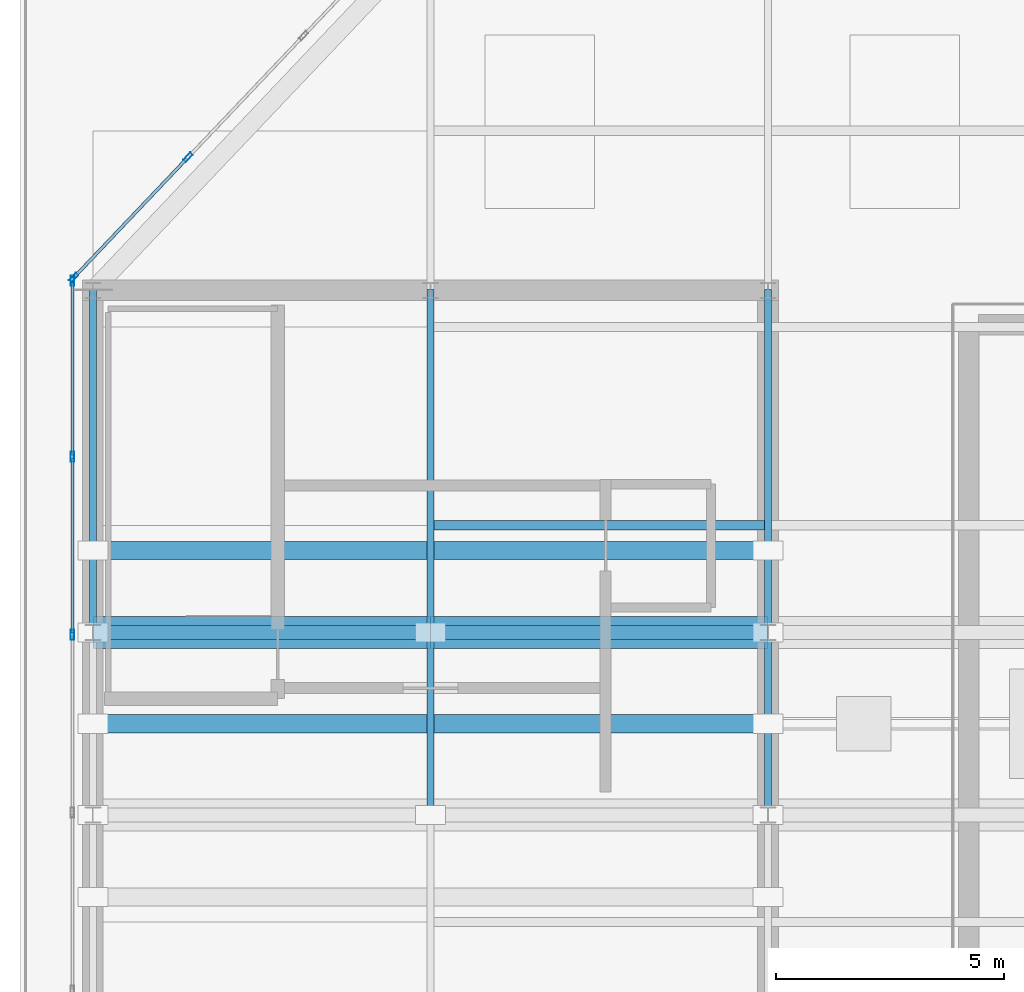
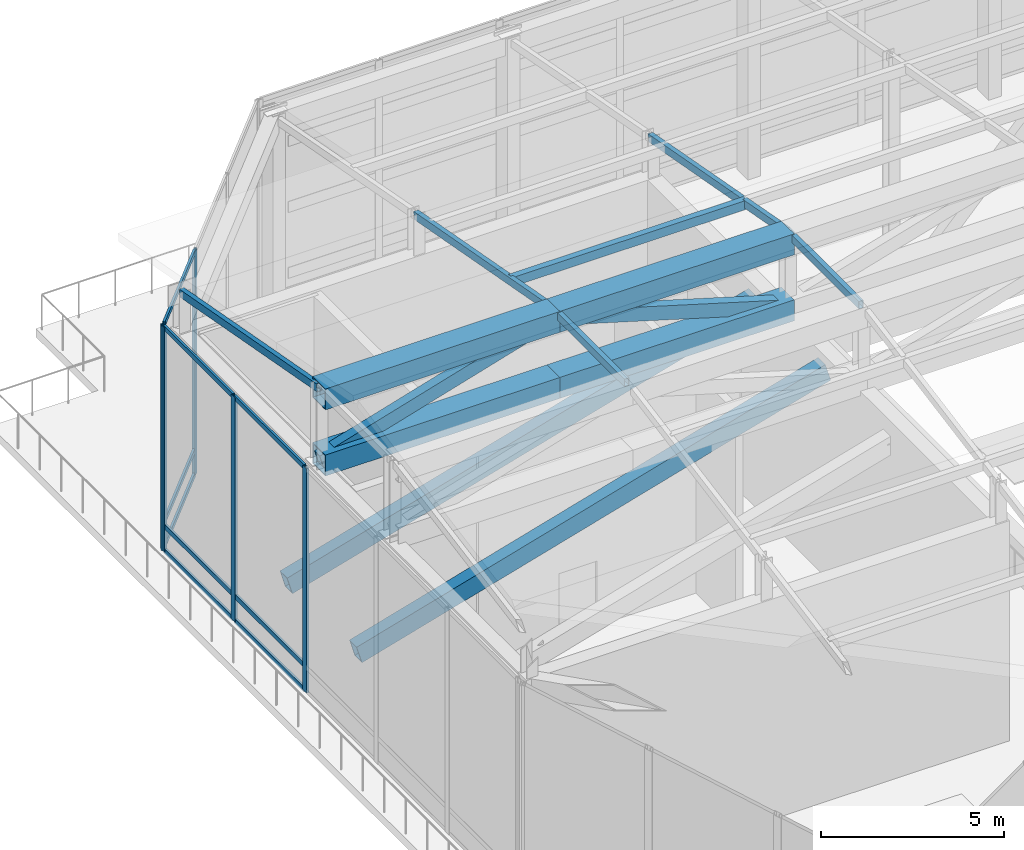
# One storey, part 8 of 25: 28 members, 2 elements without a shape of their own.
"""IFC4 building model written with IfcOpenShell, lengths in metres."""

import ifcopenshell
import ifcopenshell.guid

model = None  # the IFC model being written
_history = None  # IfcOwnerHistory: only IFC2X3 demands one
_inside = {}  # id of a spatial element -> (the spatial element, [elements in it])
_under = {}  # id of a project, library or spatial element -> (it, [spatial elements below it])
_declared = {}  # id of a project -> (the project, [libraries it declares])
_typed = {}  # id of a type object -> (the type object, [elements of that type])
_made_of = {}  # id of a material, layer set ... -> (it, [elements and type objects made of it])


def new_model(schema):
    """Start an empty IFC model of exactly this schema.

    Asked for "IFC4X3", IfcOpenShell would pick the latest addendum, in which some entities
    have other attributes; the version numbers below select the first issue.
    IFC2X3 requires an IfcOwnerHistory on every rooted entity: one is made here for all.
    """
    global model, _history
    if schema == "IFC4X3":
        model = ifcopenshell.file(schema_version=(4, 3, 0, 0))
    else:
        model = ifcopenshell.file(schema=schema)
    _inside.clear()
    _under.clear()
    _declared.clear()
    _typed.clear()
    _made_of.clear()
    _history = None
    if model.schema == "IFC2X3":
        org = make("IfcOrganization", Name="unknown")
        user = make(
            "IfcPersonAndOrganization",
            ThePerson=make("IfcPerson", FamilyName="unknown"),
            TheOrganization=org,
        )
        app = make(
            "IfcApplication",
            ApplicationDeveloper=org,
            Version="unknown",
            ApplicationFullName="unknown",
            ApplicationIdentifier="unknown",
        )
        _history = make(
            "IfcOwnerHistory",
            OwningUser=user,
            OwningApplication=app,
            ChangeAction="ADDED",
            CreationDate=0,
        )
    return model


def make(cls, **values):
    """One entity of the class cls with the attributes given. An attribute that is None is left unset."""
    return model.create_entity(
        cls, **{name: value for name, value in values.items() if value is not None}
    )


def rooted(cls, **values):
    """An entity with a GlobalId (a new one), such as an element, a storey or a relation."""
    return make(cls, GlobalId=ifcopenshell.guid.new(), OwnerHistory=_history, **values)


def si_unit(unit_type, name, prefix=None):
    """IfcSIUnit, for example si_unit("LENGTHUNIT", "METRE", prefix="MILLI")."""
    return make("IfcSIUnit", UnitType=unit_type, Prefix=prefix, Name=name)


def assignment(units):
    """IfcUnitAssignment: the units of a project."""
    return None if units is None else make("IfcUnitAssignment", Units=units)


def point(xyz):
    """IfcCartesianPoint."""
    return None if xyz is None else make("IfcCartesianPoint", Coordinates=xyz)


def direction(xyz):
    """IfcDirection."""
    return None if xyz is None else make("IfcDirection", DirectionRatios=xyz)


def frame(location, z_axis=None, x_axis=None):
    """IfcAxis2Placement3D, a coordinate frame: its origin and axes. An axis left out is left unset."""
    return make(
        "IfcAxis2Placement3D",
        Location=point(location),
        Axis=direction(z_axis),
        RefDirection=direction(x_axis),
    )


def frame_2d(location, x_axis=None):
    """IfcAxis2Placement2D, a coordinate frame in the plane: its origin and x axis."""
    return make(
        "IfcAxis2Placement2D", Location=point(location), RefDirection=direction(x_axis)
    )


def origin():
    """The frame at (0, 0, 0) with its axes left unset."""
    return frame((0.0, 0.0, 0.0))


def origin_2d():
    """The frame at (0, 0) in the plane with its x axis left unset."""
    return frame_2d((0.0, 0.0))


def place(relative_to, where):
    """IfcLocalPlacement: puts the frame where relative to a parent placement (None: the world)."""
    return make(
        "IfcLocalPlacement", PlacementRelTo=relative_to, RelativePlacement=where
    )


def context(
    kind, dimensions, precision=None, world=None, true_north=None, identifier=None
):
    """IfcGeometricRepresentationContext, for example the 3D "Model" context."""
    return make(
        "IfcGeometricRepresentationContext",
        ContextIdentifier=identifier,
        ContextType=kind,
        CoordinateSpaceDimension=dimensions,
        Precision=precision,
        WorldCoordinateSystem=world,
        TrueNorth=true_north,
    )


def subcontext(parent, identifier, kind, view, scale=None):
    """IfcGeometricRepresentationSubContext, for example "Body" below "Model"."""
    return make(
        "IfcGeometricRepresentationSubContext",
        ContextIdentifier=identifier,
        ContextType=kind,
        ParentContext=parent,
        TargetScale=scale,
        TargetView=view,
    )


def project(units=None, contexts=None):
    """IfcProject with its units and contexts."""
    return rooted(
        "IfcProject",
        Name="project",
        RepresentationContexts=contexts,
        UnitsInContext=assignment(units),
    )


def spatial(cls, under=None, at=None, **own):
    """A site, building, storey or space (cls), placed at a placement, below another one or the project."""
    s = rooted(cls, ObjectPlacement=at, **own)
    if under is not None:
        _under.setdefault(under.id(), (under, []))[1].append(s)
    return s


def profile(cls, at=None, kind="AREA", **sizes):
    """A parametric profile (cls). Its sizes go by their IFC names, for example OverallWidth=200.0."""
    return make(cls, ProfileType=kind, Position=at, **sizes)


def hollow_rectangle(**sizes):
    """IfcRectangleHollowProfileDef."""
    return profile("IfcRectangleHollowProfileDef", **sizes)


def extrude(swept, where, along, depth):
    """IfcExtrudedAreaSolid: the profile swept, set in the frame where, extruded along a direction by depth."""
    return make(
        "IfcExtrudedAreaSolid",
        SweptArea=swept,
        Position=where,
        ExtrudedDirection=direction(along),
        Depth=depth,
    )


def shape(context_of_items, identifier, shape_type, items):
    """IfcShapeRepresentation: the items that make up one representation, for example the "Body"."""
    return make(
        "IfcShapeRepresentation",
        ContextOfItems=context_of_items,
        RepresentationIdentifier=identifier,
        RepresentationType=shape_type,
        Items=items,
    )


def source(mapping_origin, context_of_items, identifier, shape_type, items):
    """IfcRepresentationMap: a shape defined once, which mapped items show again and again."""
    return make(
        "IfcRepresentationMap",
        MappingOrigin=mapping_origin,
        MappedRepresentation=shape(context_of_items, identifier, shape_type, items),
    )


def transform(
    local_origin,
    x_axis=None,
    y_axis=None,
    z_axis=None,
    scale=None,
    scale2=None,
    scale3=None,
    uniform=True,
):
    """IfcCartesianTransformationOperator3D, or its non-uniform kind. x_axis, y_axis, z_axis: its Axis1, 2, 3."""
    if uniform:
        return make(
            "IfcCartesianTransformationOperator3D",
            Axis1=direction(x_axis),
            Axis2=direction(y_axis),
            LocalOrigin=point(local_origin),
            Scale=scale,
            Axis3=direction(z_axis),
        )
    return make(
        "IfcCartesianTransformationOperator3DnonUniform",
        Axis1=direction(x_axis),
        Axis2=direction(y_axis),
        LocalOrigin=point(local_origin),
        Scale=scale,
        Axis3=direction(z_axis),
        Scale2=scale2,
        Scale3=scale3,
    )


def mapped(mapping_source, mapping_target):
    """IfcMappedItem: shows the shape of a source again, moved by a transform."""
    return make(
        "IfcMappedItem", MappingSource=mapping_source, MappingTarget=mapping_target
    )


def material(Name=None, Category=None):
    """IfcMaterial."""
    return make("IfcMaterial", Name=Name, Category=Category)


def layer(
    of_material, thickness, ventilated=None, Name=None, Category=None, Priority=None
):
    """IfcMaterialLayer: one layer of a wall or slab, of a material (None: an air gap)."""
    return make(
        "IfcMaterialLayer",
        Material=of_material,
        LayerThickness=thickness,
        IsVentilated=ventilated,
        Name=Name,
        Category=Category,
        Priority=Priority,
    )


def layer_set(layers, Name=None):
    """IfcMaterialLayerSet."""
    return make("IfcMaterialLayerSet", MaterialLayers=layers, LayerSetName=Name)


def material_profile(
    of_material, cross_section, Name=None, Category=None, Priority=None
):
    """IfcMaterialProfile: a cross section and its material."""
    return make(
        "IfcMaterialProfile",
        Name=Name,
        Material=of_material,
        Profile=cross_section,
        Priority=Priority,
        Category=Category,
    )


def profile_set(profiles, Name=None, composite=None):
    """IfcMaterialProfileSet."""
    return make(
        "IfcMaterialProfileSet",
        Name=Name,
        MaterialProfiles=profiles,
        CompositeProfile=composite,
    )


def made_of(thing, what):
    """Note that an element or type object is made of a material, layer set ...; save() writes the relation."""
    if what is not None:
        _made_of.setdefault(what.id(), (what, []))[1].append(thing)
    return thing


def type_object(cls, material=None, **own):
    """A type object (cls), such as IfcWallType, which elements share."""
    return made_of(rooted(cls, **own), material)


def type_shapes(of_type, sources):
    """Give a type object the sources (RepresentationMaps) that its elements show as mapped items."""
    of_type.RepresentationMaps = sources


def element(
    cls,
    number,
    at=None,
    inside=None,
    cuts=None,
    type_object=None,
    material=None,
    context=None,
    identifier="Body",
    shape_type=None,
    held_by="IfcProductDefinitionShape",
    body=None,
    shapes=None,
    **own,
):
    """One element of the class cls, such as IfcWall. Its Tag is "e" and its number.

    at: its placement. inside: the storey or other place that contains it. cuts: it is an
    opening in that element (IfcRelVoidsElement). A single representation is given by context,
    identifier, shape_type and body (its items); several are given by shapes. held_by: the class
    of the entity that holds the representations. save() writes the other relations.
    """
    e = rooted(cls, Tag="e%d" % number, ObjectPlacement=at, **own)
    if body is not None:
        shapes = [shape(context, identifier, shape_type, body)]
    if shapes is not None:
        e.Representation = make(held_by, Representations=shapes)
    if inside is not None:
        _inside.setdefault(inside.id(), (inside, []))[1].append(e)
    if cuts is not None:
        rooted(
            "IfcRelVoidsElement", RelatingBuildingElement=cuts, RelatedOpeningElement=e
        )
    if type_object is not None:
        _typed.setdefault(type_object.id(), (type_object, []))[1].append(e)
    return made_of(e, material)


def aggregate(whole, parts):
    """IfcRelAggregates: a whole, such as a stair, and the parts it consists of."""
    return rooted("IfcRelAggregates", RelatingObject=whole, RelatedObjects=parts)


def save(model, path):
    """Write the relations noted so far, then the file.

    IfcRelAggregates (storeys below a building ...), IfcRelContainedInSpatialStructure (elements
    in a storey), IfcRelDefinesByType, IfcRelAssociatesMaterial and IfcRelDeclares: one each for
    every whole, place, type object, material and project.
    """
    for whole, parts in _under.values():
        aggregate(whole, parts)
    for where, things in _inside.values():
        rooted(
            "IfcRelContainedInSpatialStructure",
            RelatedElements=things,
            RelatingStructure=where,
        )
    for kind, things in _typed.values():
        rooted("IfcRelDefinesByType", RelatedObjects=things, RelatingType=kind)
    for what, things in _made_of.values():
        rooted("IfcRelAssociatesMaterial", RelatedObjects=things, RelatingMaterial=what)
    for by, libraries in _declared.values():
        rooted("IfcRelDeclares", RelatingContext=by, RelatedDefinitions=libraries)
    model.write(path)


model = new_model("IFC4")

# Units and contexts
model_context = context("Model", 3, precision=1e-05, world=origin(), true_north=direction((0.0, 1.0)))
body_context = subcontext(model_context, "Body", "Model", "MODEL_VIEW")
ifc_project = project(units=[si_unit("LENGTHUNIT", "METRE"), si_unit("AREAUNIT", "SQUARE_METRE"), si_unit("VOLUMEUNIT", "CUBIC_METRE"), si_unit("PLANEANGLEUNIT", "RADIAN"), si_unit("MASSUNIT", "GRAM", prefix="KILO")], contexts=[model_context])

# Site, building, storey
site_placement = place(None, origin())
site = spatial("IfcSite", under=ifc_project, at=site_placement, CompositionType="ELEMENT")
building_placement = place(site_placement, origin())
building = spatial("IfcBuilding", under=site, at=building_placement, Name="Haelvirn Gate Laboratories", CompositionType="ELEMENT")
storey_placement = place(building_placement, frame((0.0, 0.0, 337.800048828125)))
storey = spatial("IfcBuildingStorey", under=building, at=storey_placement, Name="RF", CompositionType="ELEMENT", Elevation=337.800048828125)

# Members
ifc_material_1 = material(Name="Steel SM420", Category="steel")
ifc_material_profile_1 = material_profile(ifc_material_1, hollow_rectangle(XDim=0.39990234375, YDim=0.60009765625, WallThickness=0.02490234375, at=origin_2d()), Name="BOX-600x400x25")
ifc_profile_set_1 = profile_set([ifc_material_profile_1], Name="Steel SM420")
member_type_1 = type_object("IfcMemberType", Name="MEM-CROWN-POST", PredefinedType="USERDEFINED", material=ifc_profile_set_1)
shared_shape_1 = source(origin(), body_context, "Body", "SweptSolid", [
    extrude(hollow_rectangle(XDim=0.39990234375, YDim=0.60009765625, WallThickness=0.02490234375, at=origin_2d()), origin(), (0.0, 0.0, 1.0), 15.398193359375),
])
type_shapes(member_type_1, [shared_shape_1])
for number, where, z_axis, x_axis, name in (
    (1, (7.39990234375, 24.300048828125, 2.349853515625), (0.961155726876, 0.0, 0.276006646104), (0.0, 1.0, 0.0), "RF West Core Crown Bracing Strut 2"),
    (2, (7.39990234375, 28.10009765625, 2.349853515625), (0.961155726876, 0.0, 0.276006646104), (0.0, 1.0, 0.0), "RF West Core Crown Bracing Strut 3"),
):
    element("IfcMember", number, at=place(storey_placement, frame(where, z_axis=z_axis, x_axis=x_axis)), inside=storey, type_object=member_type_1, Name=name, ObjectType="CROWN FRAME", PredefinedType="USERDEFINED", context=body_context, shape_type="MappedRepresentation", body=[
        mapped(shared_shape_1, transform((0.0, 0.0, 0.0), scale=1.0)),
    ])
ifc_material_profile_2 = material_profile(ifc_material_1, hollow_rectangle(XDim=0.699951171875, YDim=0.699951171875, WallThickness=0.031982421875, at=origin_2d()), Name="BOX-700x700x32")
ifc_profile_set_2 = profile_set([ifc_material_profile_2], Name="Steel SM420")
member_type_2 = type_object("IfcMemberType", Name="MEM-ARCH-RIB", PredefinedType="CHORD", material=ifc_profile_set_2)
shared_shape_2 = source(origin(), body_context, "Body", "SweptSolid", [
    extrude(hollow_rectangle(XDim=0.699951171875, YDim=0.699951171875, WallThickness=0.031982421875, at=origin_2d()), origin(), (0.0, 0.0, 1.0), 7.400146484375),
])
for number, where, z_axis, x_axis, name in (
    (3, (7.39990234375, 26.300048828125, 9.75537109375), (1.0, 0.0, 0.0), (0.0, 1.0, 0.0), "RF Vault Ridge Top Chord N-1"),
    (4, (7.39990234375, 26.300048828125, 7.550048828125), (1.0, 0.0, 0.0), (0.0, 1.0, 0.0), "RF Vault Ridge Bottom Chord N-1"),
):
    element("IfcMember", number, at=place(storey_placement, frame(where, z_axis=z_axis, x_axis=x_axis)), inside=storey, type_object=member_type_2, Name=name, PredefinedType="CHORD", context=body_context, shape_type="MappedRepresentation", body=[
        mapped(shared_shape_2, transform((0.0, 0.0, 0.0), scale=1.0)),
    ])
ifc_material_profile_3 = material_profile(ifc_material_1, hollow_rectangle(XDim=0.300048828125, YDim=0.449951171875, WallThickness=0.02001953125, at=origin_2d()), Name="BOX-450x300x20")
ifc_profile_set_3 = profile_set([ifc_material_profile_3], Name="Steel SM420")
member_type_3 = type_object("IfcMemberType", Name="MEM-CROWN-BR", PredefinedType="USERDEFINED", material=ifc_profile_set_3)
shared_shape_3 = source(origin(), body_context, "Body", "SweptSolid", [
    extrude(hollow_rectangle(XDim=0.300048828125, YDim=0.449951171875, WallThickness=0.02001953125, at=origin_2d()), origin(), (0.0, 0.0, 1.0), 7.7216796875),
])
member_1_placement = place(storey_placement, frame((7.39990234375, 26.300048828125, 7.550048828125), z_axis=(0.958349417944, 0.0, 0.285598307291), x_axis=(0.0, 1.0, 0.0)))
element("IfcMember", 5, at=member_1_placement, inside=storey, type_object=member_type_3, Name="RF Vault Ridge Truss Web N-1", ObjectType="CROWN FRAME", PredefinedType="USERDEFINED", context=body_context, shape_type="MappedRepresentation", body=[
    mapped(shared_shape_3, transform((0.0, 0.0, 0.0), scale=1.0)),
])
shared_shape_4 = source(origin(), body_context, "Body", "SweptSolid", [
    extrude(hollow_rectangle(XDim=0.699951171875, YDim=0.699951171875, WallThickness=0.031982421875, at=origin_2d()), origin(), (0.0, 0.0, 1.0), 7.39990234375),
])
type_shapes(member_type_2, [shared_shape_2, shared_shape_4])
for number, where, z_axis, x_axis, name in (
    (6, (14.800048828125, 26.300048828125, 9.75537109375), (1.0, 0.0, 0.0), (0.0, 1.0, 0.0), "RF Vault Ridge Top Chord N-2"),
    (7, (14.800048828125, 26.300048828125, 7.550048828125), (1.0, 0.0, 0.0), (0.0, 1.0, 0.0), "RF Vault Ridge Bottom Chord N-2"),
):
    element("IfcMember", number, at=place(storey_placement, frame(where, z_axis=z_axis, x_axis=x_axis)), inside=storey, type_object=member_type_2, Name=name, PredefinedType="CHORD", context=body_context, shape_type="MappedRepresentation", body=[
        mapped(shared_shape_4, transform((0.0, 0.0, 0.0), scale=1.0)),
    ])
shared_shape_5 = source(origin(), body_context, "Body", "SweptSolid", [
    extrude(hollow_rectangle(XDim=0.300048828125, YDim=0.449951171875, WallThickness=0.02001953125, at=origin_2d()), origin(), (0.0, 0.0, 1.0), 7.721435546875),
])
type_shapes(member_type_3, [shared_shape_3, shared_shape_5])
member_2_placement = place(storey_placement, frame((14.800048828125, 26.300048828125, 9.75537109375), z_axis=(0.958346838924, 0.0, -0.285606961267), x_axis=(0.0, 1.0, 0.0)))
element("IfcMember", 8, at=member_2_placement, inside=storey, type_object=member_type_3, Name="RF Vault Ridge Truss Web N-2", ObjectType="CROWN FRAME", PredefinedType="USERDEFINED", context=body_context, shape_type="MappedRepresentation", body=[
    mapped(shared_shape_5, transform((0.0, 0.0, 0.0), scale=1.0)),
])
ifc_material_2 = material(Name="Steel SM355", Category="steel")
ifc_material_profile_4 = material_profile(ifc_material_2, hollow_rectangle(XDim=0.14990234375, YDim=0.25, WallThickness=0.010009765625, at=origin_2d()), Name="RHS-250x150x10")
ifc_profile_set_4 = profile_set([ifc_material_profile_4], Name="Steel SM355")
member_type_4 = type_object("IfcMemberType", Name="MEM-CROWN-RAF", PredefinedType="RAFTER", material=ifc_profile_set_4)
shared_shape_6 = source(origin(), body_context, "Body", "SweptSolid", [
    extrude(hollow_rectangle(XDim=0.14990234375, YDim=0.25, WallThickness=0.010009765625, at=origin_2d()), origin(), (0.0, 0.0, 1.0), 7.626708984375),
])
for number, where, z_axis, x_axis, name in (
    (9, (7.39990234375, 26.300048828125, 9.955322265625), (0.0, 0.983390092547, -0.181504616691), (-1.0, 0.0, 0.0), "RF Vault End Rafter X7.4-3"),
    (10, (14.800048828125, 26.300048828125, 9.955322265625), (0.0, 0.983390092547, -0.181504616691), (-1.0, 0.0, 0.0), "RF Vault Rafter Chord X14.8-4"),
    (11, (22.199951171875, 26.300048828125, 9.955322265625), (0.0, 0.983390092547, -0.181504616691), (-1.0, 0.0, 0.0), "RF Vault Rafter Chord X22.2-4"),
):
    element("IfcMember", number, at=place(storey_placement, frame(where, z_axis=z_axis, x_axis=x_axis)), inside=storey, type_object=member_type_4, Name=name, PredefinedType="RAFTER", context=body_context, shape_type="MappedRepresentation", body=[
        mapped(shared_shape_6, transform((0.0, 0.0, 0.0), scale=1.0)),
    ])
shared_shape_7 = source(origin(), body_context, "Body", "SweptSolid", [
    extrude(hollow_rectangle(XDim=0.14990234375, YDim=0.25, WallThickness=0.010009765625, at=origin_2d()), origin(), (0.0, 0.0, 1.0), 4.0),
])
type_shapes(member_type_4, [shared_shape_6, shared_shape_7])
for number, where, z_axis, x_axis, name in (
    (12, (14.800048828125, 22.300048828125, 9.955322265625), (0.0, 1.0, 0.0), (-1.0, 0.0, 0.0), "RF Vault Rafter Chord X14.8-3"),
    (13, (22.199951171875, 22.300048828125, 9.955322265625), (0.0, 1.0, 0.0), (-1.0, 0.0, 0.0), "RF Vault Rafter Chord X22.2-3"),
):
    element("IfcMember", number, at=place(storey_placement, frame(where, z_axis=z_axis, x_axis=x_axis)), inside=storey, type_object=member_type_4, Name=name, PredefinedType="RAFTER", context=body_context, shape_type="MappedRepresentation", body=[
        mapped(shared_shape_7, transform((0.0, 0.0, 0.0), scale=1.0)),
    ])
ifc_material_profile_5 = material_profile(ifc_material_2, hollow_rectangle(XDim=0.199951171875, YDim=0.300048828125, WallThickness=0.011962890625, at=origin_2d()), Name="RHS-300x200x12")
ifc_profile_set_5 = profile_set([ifc_material_profile_5], Name="Steel SM355")
member_type_5 = type_object("IfcMemberType", Name="MEM-ROOF-PURL", PredefinedType="PURLIN", material=ifc_profile_set_5)
shared_shape_8 = source(origin(), body_context, "Body", "SweptSolid", [
    extrude(hollow_rectangle(XDim=0.199951171875, YDim=0.300048828125, WallThickness=0.011962890625, at=origin_2d()), origin(), (0.0, 0.0, 1.0), 7.39990234375),
])
type_shapes(member_type_5, [shared_shape_8])
member_3_placement = place(storey_placement, frame((14.800048828125, 28.64990234375, 9.5), z_axis=(1.0, 0.0, 0.0), x_axis=(0.0, 1.0, 0.0)))
element("IfcMember", 14, at=member_3_placement, inside=storey, type_object=member_type_5, Name="RF Vault Purlin 4 (14.8-22.2)", PredefinedType="PURLIN", context=body_context, shape_type="MappedRepresentation", body=[
    mapped(shared_shape_8, transform((0.0, 0.0, 0.0), scale=1.0)),
])

# Curtain wall, members
ifc_material_3 = material(Name="Anodised bronze unitised aluminium & triple low-E glass", Category="aluminium")
ifc_layer = layer(ifc_material_3, 0.19189453125, Name="CW-SYS-6")
ifc_layer_set = layer_set([ifc_layer], Name="Anodised bronze unitised aluminium & triple low-E glass")
curtain_wall_type = type_object("IfcCurtainWallType", Name="CW-SYS-6", PredefinedType="NOTDEFINED", material=ifc_layer_set)
curtain_wall_1_placement = place(storey_placement, origin())
curtain_wall_1 = element("IfcCurtainWall", 15, at=curtain_wall_1_placement, inside=storey, type_object=curtain_wall_type, Name="RF Unitised Curtain Wall CW-RF-RING-05", PredefinedType="NOTDEFINED")
ifc_material_4 = material(Name="Extruded aluminium 6063-T6 (anodised bronze)", Category="aluminium")
ifc_material_profile_6 = material_profile(ifc_material_4, hollow_rectangle(XDim=0.080078125, YDim=0.219970703125, WallThickness=0.006103515625, at=origin_2d()), Name="CWM-220x80x6")
ifc_profile_set_6 = profile_set([ifc_material_profile_6], Name="Extruded aluminium 6063-T6 (anodised bronze)")
member_type_6 = type_object("IfcMemberType", Name="CWM-T220", PredefinedType="MULLION", material=ifc_profile_set_6)
shared_shape_9 = source(origin(), body_context, "Body", "SweptSolid", [
    extrude(hollow_rectangle(XDim=0.080078125, YDim=0.219970703125, WallThickness=0.006103515625, at=origin_2d()), origin(), (0.0, 0.0, 1.0), 7.5),
])
type_shapes(member_type_6, [shared_shape_9])
member_4_placement = place(storey_placement, frame((9.4833984375, 36.716552734375, 0.0), z_axis=(0.0, 0.0, 1.0), x_axis=(0.72499943359, -0.68874946192, 0.0)))
member_4 = element("IfcMember", 16, at=member_4_placement, type_object=member_type_6, Name="CW6 mullion 3", PredefinedType="MULLION", context=body_context, shape_type="MappedRepresentation", body=[
    mapped(shared_shape_9, transform((0.0, 0.0, 0.0), scale=1.0)),
])
member_5_placement = place(storey_placement, frame((6.9775390625, 34.0791015625, 0.0), z_axis=(0.0, 0.0, 1.0), x_axis=(0.72499943359, -0.68874946192, 0.0)))
member_5 = element("IfcMember", 17, at=member_5_placement, type_object=member_type_6, Name="CW6 mullion 4", PredefinedType="MULLION", context=body_context, shape_type="MappedRepresentation", body=[
    mapped(shared_shape_9, transform((0.0, 0.0, 0.0), scale=1.0)),
])

curtain_wall_2_placement = place(storey_placement, origin())
curtain_wall_2 = element("IfcCurtainWall", 18, at=curtain_wall_2_placement, inside=storey, type_object=curtain_wall_type, Name="RF Unitised Curtain Wall CW-RF-RING-06", PredefinedType="NOTDEFINED")
member_6_placement = place(storey_placement, frame((6.949951171875, 34.010009765625, 0.0), z_axis=(0.0, 0.0, 1.0), x_axis=(1.0, 0.0, 0.0)))
member_6 = element("IfcMember", 19, at=member_6_placement, type_object=member_type_6, Name="CW6 mullion 1", PredefinedType="MULLION", context=body_context, shape_type="MappedRepresentation", body=[
    mapped(shared_shape_9, transform((0.0, 0.0, 0.0), scale=1.0)),
])
member_7_placement = place(storey_placement, frame((6.949951171875, 30.14990234375, 0.0), z_axis=(0.0, 0.0, 1.0), x_axis=(1.0, 0.0, 0.0)))
member_7 = element("IfcMember", 20, at=member_7_placement, type_object=member_type_6, Name="CW6 mullion 2", PredefinedType="MULLION", context=body_context, shape_type="MappedRepresentation", body=[
    mapped(shared_shape_9, transform((0.0, 0.0, 0.0), scale=1.0)),
])
member_8_placement = place(storey_placement, frame((6.949951171875, 26.25, 0.0), z_axis=(0.0, 0.0, 1.0), x_axis=(1.0, 0.0, 0.0)))
member_8 = element("IfcMember", 21, at=member_8_placement, type_object=member_type_6, Name="CW6 mullion 3", PredefinedType="MULLION", context=body_context, shape_type="MappedRepresentation", body=[
    mapped(shared_shape_9, transform((0.0, 0.0, 0.0), scale=1.0)),
])

# Member
ifc_material_profile_7 = material_profile(ifc_material_4, hollow_rectangle(XDim=0.070068359375, YDim=0.159912109375, WallThickness=0.0048828125, at=origin_2d()), Name="CWT-160x70x5")
ifc_profile_set_7 = profile_set([ifc_material_profile_7], Name="Extruded aluminium 6063-T6 (anodised bronze)")
member_type_7 = type_object("IfcMemberType", Name="CWT-T160", PredefinedType="USERDEFINED", material=ifc_profile_set_7)
shared_shape_10 = source(origin(), body_context, "Body", "SweptSolid", [
    extrude(hollow_rectangle(XDim=0.070068359375, YDim=0.159912109375, WallThickness=0.0048828125, at=origin_2d()), origin(), (0.0, 0.0, 1.0), 3.558349609375),
])
member_9_placement = place(storey_placement, frame((9.455810546875, 36.687744140625, 0.034912109375), z_axis=(-0.688726019915, -0.725021702773, 0.0), x_axis=(0.725021702773, -0.688726019915, 0.0)))
member_9 = element("IfcMember", 22, at=member_9_placement, type_object=member_type_7, Name="CW6 transom 3.1", ObjectType="TRANSOM", PredefinedType="USERDEFINED", context=body_context, shape_type="MappedRepresentation", body=[
    mapped(shared_shape_10, transform((0.0, 0.0, 0.0), scale=1.0)),
])

member_10_placement = place(storey_placement, frame((9.455810546875, 36.687744140625, 0.849853515625), z_axis=(-0.688726019915, -0.725021702773, 0.0), x_axis=(0.725021702773, -0.688726019915, 0.0)))
member_10 = element("IfcMember", 23, at=member_10_placement, type_object=member_type_7, Name="CW6 transom 3.2", ObjectType="TRANSOM", PredefinedType="USERDEFINED", context=body_context, shape_type="MappedRepresentation", body=[
    mapped(shared_shape_10, transform((0.0, 0.0, 0.0), scale=1.0)),
])

member_11_placement = place(storey_placement, frame((9.455810546875, 36.687744140625, 7.46484375), z_axis=(-0.688726019915, -0.725021702773, 0.0), x_axis=(0.725021702773, -0.688726019915, 0.0)))
member_11 = element("IfcMember", 24, at=member_11_placement, type_object=member_type_7, Name="CW6 transom 3.3", ObjectType="TRANSOM", PredefinedType="USERDEFINED", context=body_context, shape_type="MappedRepresentation", body=[
    mapped(shared_shape_10, transform((0.0, 0.0, 0.0), scale=1.0)),
])

aggregate(curtain_wall_1, [member_4, member_5, member_9, member_10, member_11])

shared_shape_11 = source(origin(), body_context, "Body", "SweptSolid", [
    extrude(hollow_rectangle(XDim=0.070068359375, YDim=0.159912109375, WallThickness=0.0048828125, at=origin_2d()), origin(), (0.0, 0.0, 1.0), 3.780029296875),
])
member_12_placement = place(storey_placement, frame((6.949951171875, 33.969970703125, 0.034912109375), z_axis=(0.0, -1.0, 0.0), x_axis=(1.0, 0.0, 0.0)))
member_12 = element("IfcMember", 25, at=member_12_placement, type_object=member_type_7, Name="CW6 transom 1.1", ObjectType="TRANSOM", PredefinedType="USERDEFINED", context=body_context, shape_type="MappedRepresentation", body=[
    mapped(shared_shape_11, transform((0.0, 0.0, 0.0), scale=1.0)),
])

member_13_placement = place(storey_placement, frame((6.949951171875, 33.969970703125, 0.849853515625), z_axis=(0.0, -1.0, 0.0), x_axis=(1.0, 0.0, 0.0)))
member_13 = element("IfcMember", 26, at=member_13_placement, type_object=member_type_7, Name="CW6 transom 1.2", ObjectType="TRANSOM", PredefinedType="USERDEFINED", context=body_context, shape_type="MappedRepresentation", body=[
    mapped(shared_shape_11, transform((0.0, 0.0, 0.0), scale=1.0)),
])

member_14_placement = place(storey_placement, frame((6.949951171875, 33.969970703125, 7.46484375), z_axis=(0.0, -1.0, 0.0), x_axis=(1.0, 0.0, 0.0)))
member_14 = element("IfcMember", 27, at=member_14_placement, type_object=member_type_7, Name="CW6 transom 1.3", ObjectType="TRANSOM", PredefinedType="USERDEFINED", context=body_context, shape_type="MappedRepresentation", body=[
    mapped(shared_shape_11, transform((0.0, 0.0, 0.0), scale=1.0)),
])

shared_shape_12 = source(origin(), body_context, "Body", "SweptSolid", [
    extrude(hollow_rectangle(XDim=0.070068359375, YDim=0.159912109375, WallThickness=0.0048828125, at=origin_2d()), origin(), (0.0, 0.0, 1.0), 3.820068359375),
])
type_shapes(member_type_7, [shared_shape_10, shared_shape_11, shared_shape_12])
member_15_placement = place(storey_placement, frame((6.949951171875, 30.110107421875, 0.034912109375), z_axis=(0.0, -1.0, 0.0), x_axis=(1.0, 0.0, 0.0)))
member_15 = element("IfcMember", 28, at=member_15_placement, type_object=member_type_7, Name="CW6 transom 2.1", ObjectType="TRANSOM", PredefinedType="USERDEFINED", context=body_context, shape_type="MappedRepresentation", body=[
    mapped(shared_shape_12, transform((0.0, 0.0, 0.0), scale=1.0)),
])

member_16_placement = place(storey_placement, frame((6.949951171875, 30.110107421875, 0.849853515625), z_axis=(0.0, -1.0, 0.0), x_axis=(1.0, 0.0, 0.0)))
member_16 = element("IfcMember", 29, at=member_16_placement, type_object=member_type_7, Name="CW6 transom 2.2", ObjectType="TRANSOM", PredefinedType="USERDEFINED", context=body_context, shape_type="MappedRepresentation", body=[
    mapped(shared_shape_12, transform((0.0, 0.0, 0.0), scale=1.0)),
])

member_17_placement = place(storey_placement, frame((6.949951171875, 30.110107421875, 7.46484375), z_axis=(0.0, -1.0, 0.0), x_axis=(1.0, 0.0, 0.0)))
member_17 = element("IfcMember", 30, at=member_17_placement, type_object=member_type_7, Name="CW6 transom 2.3", ObjectType="TRANSOM", PredefinedType="USERDEFINED", context=body_context, shape_type="MappedRepresentation", body=[
    mapped(shared_shape_12, transform((0.0, 0.0, 0.0), scale=1.0)),
])

aggregate(curtain_wall_2, [member_6, member_7, member_8, member_12, member_13, member_14, member_15, member_16, member_17])

save(model, "model.ifc")
